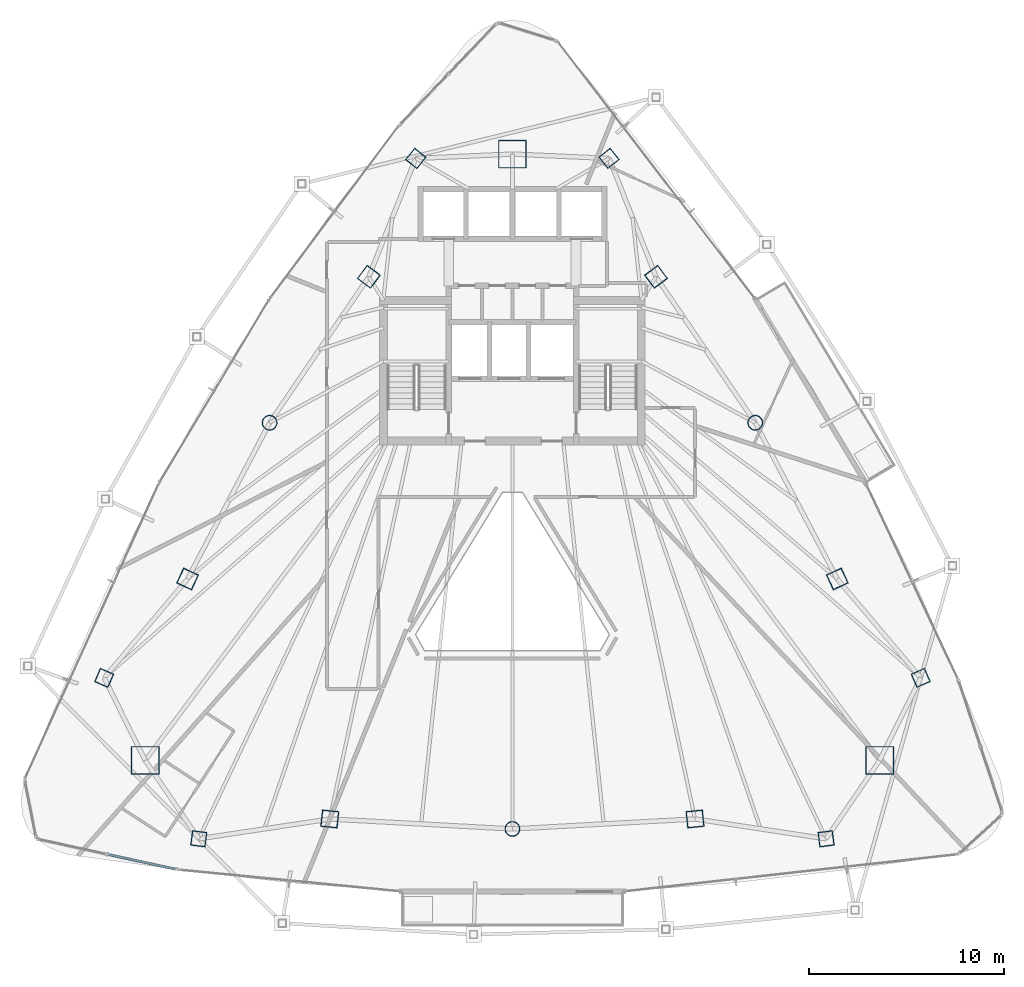
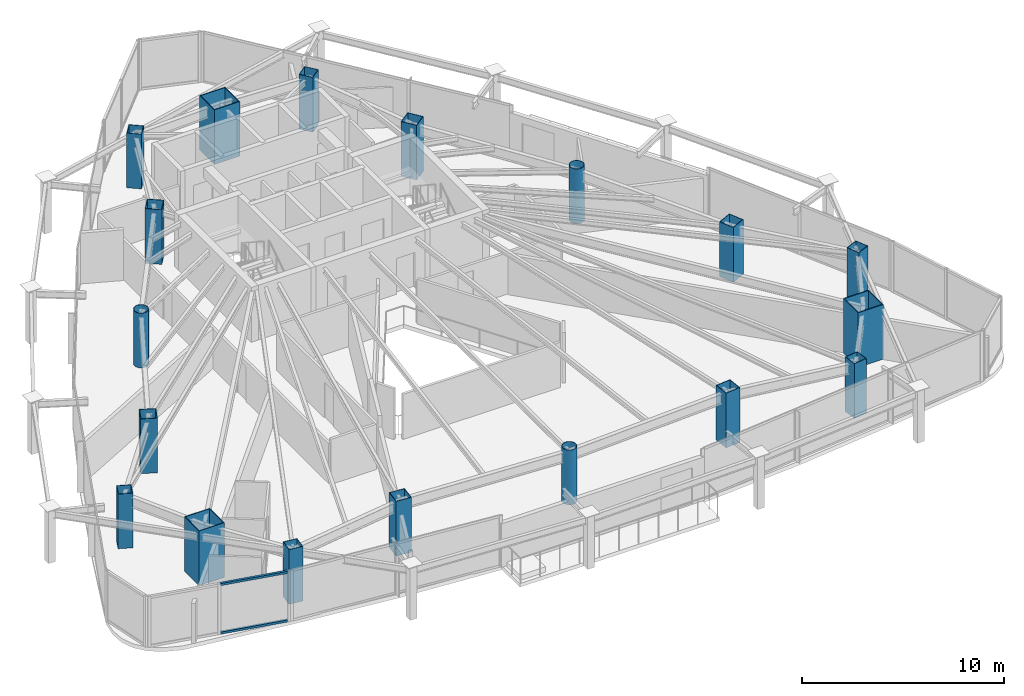
# One storey, part 1 of 31: 18 columns, 2 members, 1 element without a shape of its own.
"""IFC4 building model written with IfcOpenShell, lengths in metres."""

from ifc_helpers import new_model, si_unit, direction, frame, origin, origin_2d, place, context, subcontext, project, spatial, hollow_rectangle, hollow_circle, extrude, material, layer, layer_set, material_profile, profile_set, type_object, element, aggregate, save


model = new_model("IFC4")

# Units and contexts
model_context = context("Model", 3, precision=1e-05, world=origin(), true_north=direction((0.0, 1.0)))
body_context = subcontext(model_context, "Body", "Model", "MODEL_VIEW")
ifc_project = project(units=[si_unit("LENGTHUNIT", "METRE"), si_unit("AREAUNIT", "SQUARE_METRE"), si_unit("VOLUMEUNIT", "CUBIC_METRE"), si_unit("PLANEANGLEUNIT", "RADIAN"), si_unit("MASSUNIT", "GRAM", prefix="KILO")], contexts=[model_context])

# Site, building, storey
site_placement = place(None, origin())
site = spatial("IfcSite", under=ifc_project, at=site_placement, CompositionType="ELEMENT")
building_placement = place(site_placement, origin())
building = spatial("IfcBuilding", under=site, at=building_placement, Name="Orvanel Arch Residences", CompositionType="ELEMENT")
storey_placement = place(building_placement, frame((0.0, 0.0, 157.25)))
storey = spatial("IfcBuildingStorey", under=building, at=storey_placement, Name="L44", CompositionType="ELEMENT", Elevation=157.25)

# Columns
ifc_material_1 = material(Name="Structural steel AS/NZS 1163 C450L0 (Grade 450)", Category="steel")
ifc_material_profile_1 = material_profile(ifc_material_1, hollow_circle(Radius=0.381103515625, WallThickness=0.02197265625, at=origin_2d()), Name="CHS762x22")
ifc_profile_set_1 = profile_set([ifc_material_profile_1], Name="Structural steel AS/NZS 1163 C450L0 (Grade 450)")
column_type_1 = type_object("IfcColumnType", Name="CC-762", PredefinedType="COLUMN", material=ifc_profile_set_1)
for number, where, z_axis, x_axis, name in (
    (1, (20.569091796875, 27.64111328125, 0.0), (0.0, 0.0, 1.0), (1.0, 0.0, 0.0), "L44 High-Rise Tube Column 02"),
    (2, (33.0, 6.843994140625, 0.0), (0.0, 0.0, 1.0), (1.0, 0.0, 0.0), "L44 High-Rise Tube Column 05"),
    (3, (45.430908203125, 27.64111328125, 0.0), (0.0, 0.0, 1.0), (1.0, 0.0, 0.0), "L44 High-Rise Tube Column 08"),
):
    element("IfcColumn", number, at=place(storey_placement, frame(where, z_axis=z_axis, x_axis=x_axis)), inside=storey, type_object=column_type_1, Name=name, PredefinedType="COLUMN", context=body_context, shape_type="SweptSolid", body=[
        extrude(hollow_circle(Radius=0.381103515625, WallThickness=0.02197265625, at=origin_2d()), origin(), (0.0, 0.0, 1.0), 3.300048828125),
    ])
ifc_material_2 = material(Name="Structural steel AS/NZS 3678 Grade 450", Category="steel")
ifc_material_profile_2 = material_profile(ifc_material_2, hollow_rectangle(XDim=1.449951171875, YDim=1.449951171875, WallThickness=0.044921875, at=origin_2d()), Name="BOX1450x1450x45")
ifc_profile_set_2 = profile_set([ifc_material_profile_2], Name="Structural steel AS/NZS 3678 Grade 450")
column_type_2 = type_object("IfcColumnType", Name="MC-1450", PredefinedType="COLUMN", material=ifc_profile_set_2)
for number, where, z_axis, x_axis, name in (
    (4, (33.0, 41.39794921875, 0.0), (0.0, 0.0, 1.0), (1.0, 0.0, 0.0), "L44 Corner Mega-Column 1"),
    (5, (14.198974609375, 10.35107421875, 0.0), (0.0, 0.0, 1.0), (1.0, 0.0, 0.0), "L44 Corner Mega-Column 2"),
    (6, (51.801025390625, 10.35107421875, 0.0), (0.0, 0.0, 1.0), (1.0, 0.0, 0.0), "L44 Corner Mega-Column 3"),
):
    element("IfcColumn", number, at=place(storey_placement, frame(where, z_axis=z_axis, x_axis=x_axis)), inside=storey, type_object=column_type_2, Name=name, PredefinedType="COLUMN", context=body_context, shape_type="SweptSolid", body=[
        extrude(hollow_rectangle(XDim=1.449951171875, YDim=1.449951171875, WallThickness=0.044921875, at=origin_2d()), origin(), (0.0, 0.0, 1.0), 3.300048828125),
    ])
ifc_material_3 = material(Name="Structural steel AS/NZS 3678 Grade 350", Category="steel")
ifc_material_profile_3 = material_profile(ifc_material_3, hollow_rectangle(XDim=0.75, YDim=0.75, WallThickness=0.02490234375, at=origin_2d()), Name="BOX750x750x25")
ifc_profile_set_3 = profile_set([ifc_material_profile_3], Name="Structural steel AS/NZS 3678 Grade 350")
column_type_3 = type_object("IfcColumnType", Name="TC-750", PredefinedType="COLUMN", material=ifc_profile_set_3)
for number, where, z_axis, x_axis, name in (
    (7, (28.050048828125, 41.177978515625, 0.0), (0.0, 0.0, 1.0), (0.623879596709, 0.781520472419, 0.0), "L44 Mid-Rise Buttress Tube Column 01"),
    (8, (12.094970703125, 14.580078125, 0.0), (0.0, 0.0, 1.0), (0.397147890635, 0.917754625684, 0.0), "L44 Mid-Rise Buttress Tube Column 02"),
    (9, (16.94091796875, 6.339111328125, 0.0), (0.0, 0.0, 1.0), (-0.99189444259, 0.127064608601, 0.0), "L44 Mid-Rise Buttress Tube Column 03"),
    (10, (49.05908203125, 6.339111328125, 0.0), (0.0, 0.0, 1.0), (0.99189444259, 0.127064608601, 0.0), "L44 Mid-Rise Buttress Tube Column 04"),
    (11, (53.905029296875, 14.580078125, 0.0), (0.0, 0.0, 1.0), (-0.397147890635, 0.917754625684, 0.0), "L44 Mid-Rise Buttress Tube Column 05"),
    (12, (37.949951171875, 41.177978515625, 0.0), (0.0, 0.0, 1.0), (-0.623879596709, 0.781520472419, 0.0), "L44 Mid-Rise Buttress Tube Column 06"),
):
    element("IfcColumn", number, at=place(storey_placement, frame(where, z_axis=z_axis, x_axis=x_axis)), inside=storey, type_object=column_type_3, Name=name, PredefinedType="COLUMN", context=body_context, shape_type="SweptSolid", body=[
        extrude(hollow_rectangle(XDim=0.75, YDim=0.75, WallThickness=0.02490234375, at=origin_2d()), origin(), (0.0, 0.0, 1.0), 3.300048828125),
    ])
ifc_material_profile_4 = material_profile(ifc_material_3, hollow_rectangle(XDim=0.85009765625, YDim=0.85009765625, WallThickness=0.028076171875, at=origin_2d()), Name="BOX850x850x28")
ifc_profile_set_4 = profile_set([ifc_material_profile_4], Name="Structural steel AS/NZS 3678 Grade 350")
column_type_4 = type_object("IfcColumnType", Name="TC-850", PredefinedType="COLUMN", material=ifc_profile_set_4)
for number, where, z_axis, x_axis, name in (
    (13, (25.64794921875, 35.113037109375, 0.0), (0.0, 0.0, 1.0), (0.600420225326, 0.799684658487, 0.0), "L44 High-Rise Tube Column 01"),
    (14, (16.366943359375, 19.64208984375, 0.0), (0.0, 0.0, 1.0), (0.422618261741, 0.906307787037, 0.0), "L44 High-Rise Tube Column 03"),
    (15, (23.64892578125, 7.35498046875, 0.0), (0.0, 0.0, 1.0), (-0.994880708829, 0.101056297183, 0.0), "L44 High-Rise Tube Column 04"),
    (16, (42.35107421875, 7.35498046875, 0.0), (0.0, 0.0, 1.0), (0.994880708829, 0.101056297183, 0.0), "L44 High-Rise Tube Column 06"),
    (17, (49.633056640625, 19.64208984375, 0.0), (0.0, 0.0, 1.0), (-0.422618261741, 0.906307787037, 0.0), "L44 High-Rise Tube Column 07"),
    (18, (40.35205078125, 35.113037109375, 0.0), (0.0, 0.0, 1.0), (-0.600420225326, 0.799684658487, 0.0), "L44 High-Rise Tube Column 09"),
):
    element("IfcColumn", number, at=place(storey_placement, frame(where, z_axis=z_axis, x_axis=x_axis)), inside=storey, type_object=column_type_4, Name=name, PredefinedType="COLUMN", context=body_context, shape_type="SweptSolid", body=[
        extrude(hollow_rectangle(XDim=0.85009765625, YDim=0.85009765625, WallThickness=0.028076171875, at=origin_2d()), origin(), (0.0, 0.0, 1.0), 3.300048828125),
    ])

# Curtain wall, members
ifc_material_4 = material(Name="Bronze-anodised aluminium AA6063-T6", Category="aluminium")
ifc_layer = layer(ifc_material_4, 0.18994140625)
ifc_layer_set = layer_set([ifc_layer], Name="Bronze-anodised aluminium AA6063-T6")
curtain_wall_type = type_object("IfcCurtainWallType", Name="CW5-CRN-SYS", PredefinedType="NOTDEFINED", material=ifc_layer_set)
curtain_wall_placement = place(storey_placement, origin())
curtain_wall = element("IfcCurtainWall", 19, at=curtain_wall_placement, inside=storey, type_object=curtain_wall_type, Name="L44 CW5-CRN-SYS Unitised Curtain Wall", PredefinedType="NOTDEFINED")
ifc_material_profile_5 = material_profile(ifc_material_4, hollow_rectangle(XDim=0.1298828125, YDim=0.1298828125, WallThickness=0.00439453125, at=origin_2d()), Name="ALU130x130x4.5")
ifc_profile_set_5 = profile_set([ifc_material_profile_5], Name="Bronze-anodised aluminium AA6063-T6")
member_type = type_object("IfcMemberType", Name="TRN-130x130", PredefinedType="USERDEFINED", material=ifc_profile_set_5)
member_1_placement = place(storey_placement, frame((12.326171875, 5.531005859375, 0.06494140625), z_axis=(0.976992072663, -0.213275619689, 0.0), x_axis=(0.213275619689, 0.976992072663, 0.0)))
member_1 = element("IfcMember", 20, at=member_1_placement, type_object=member_type, Name="CW-S5 transom 2.1", ObjectType="TRANSOM", PredefinedType="USERDEFINED", context=body_context, shape_type="SweptSolid", body=[
    extrude(hollow_rectangle(XDim=0.1298828125, YDim=0.1298828125, WallThickness=0.00439453125, at=origin_2d()), origin(), (0.0, 0.0, 1.0), 3.47412109375),
])
member_2_placement = place(storey_placement, frame((12.326171875, 5.531005859375, 2.9951171875), z_axis=(0.976992072663, -0.213275619689, 0.0), x_axis=(0.213275619689, 0.976992072663, 0.0)))
member_2 = element("IfcMember", 21, at=member_2_placement, type_object=member_type, Name="CW-S5 transom 2.2", ObjectType="TRANSOM", PredefinedType="USERDEFINED", context=body_context, shape_type="SweptSolid", body=[
    extrude(hollow_rectangle(XDim=0.1298828125, YDim=0.1298828125, WallThickness=0.00439453125, at=origin_2d()), origin(), (0.0, 0.0, 1.0), 3.47412109375),
])
aggregate(curtain_wall, [member_1, member_2])

save(model, "model.ifc")
